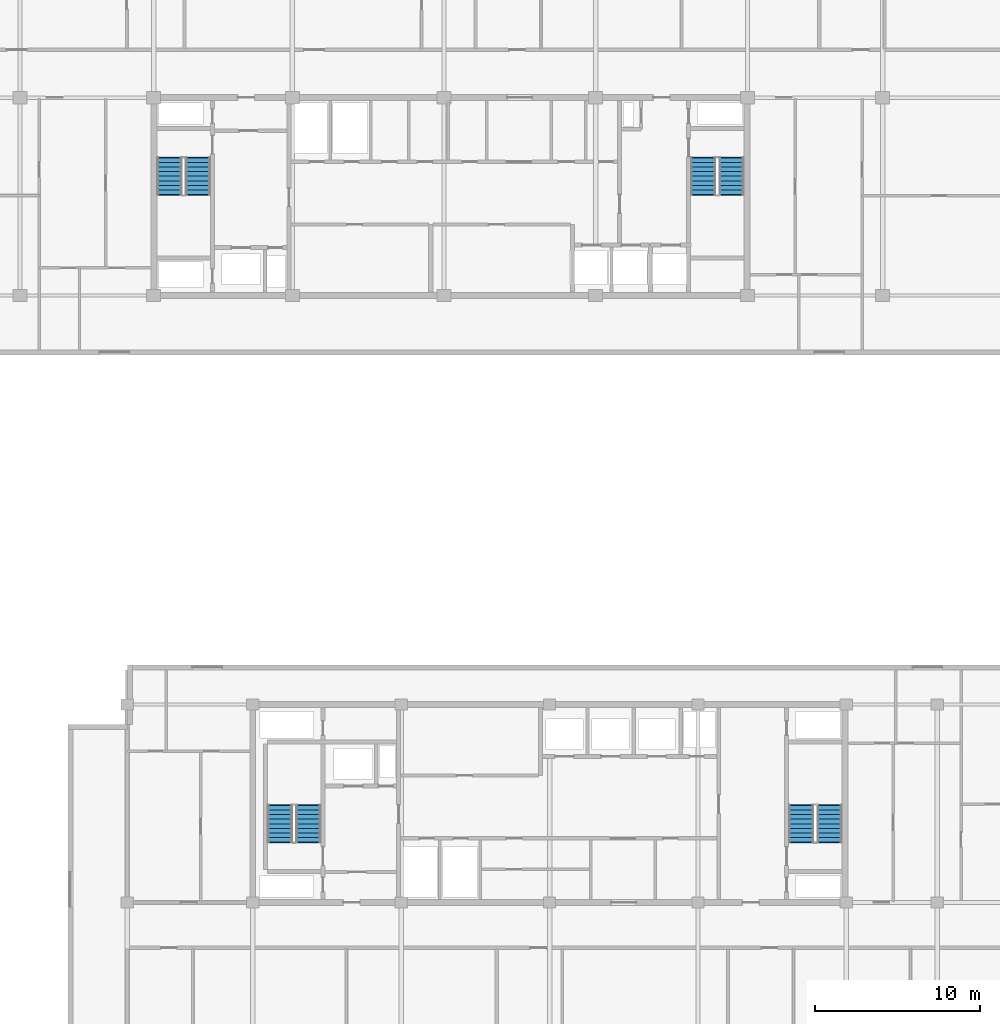
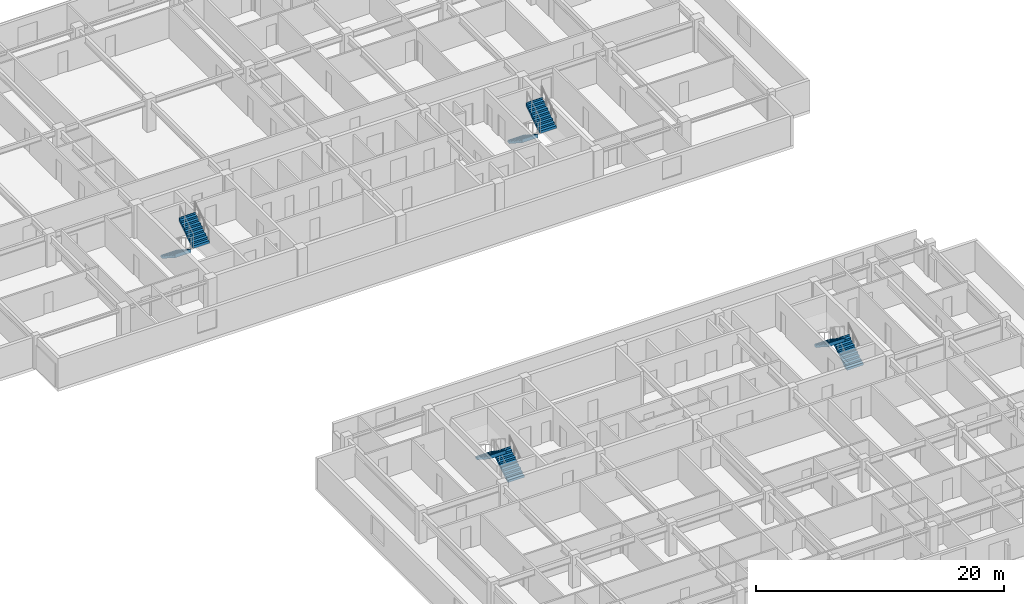
# One storey, part 17 of 22: 8 stair flights, 4 elements without a shape of their own.
"""IFC4 building model written with IfcOpenShell, lengths in metres."""

from ifc_helpers import new_model, si_unit, direction, frame, origin, place, context, subcontext, project, spatial, polyline, outline, extrude, material, type_object, element, aggregate, save


model = new_model("IFC4")

# Units and contexts
model_context = context("Model", 3, precision=1e-05, world=origin(), true_north=direction((0.0, 1.0)))
body_context = subcontext(model_context, "Body", "Model", "MODEL_VIEW")
ifc_project = project(units=[si_unit("LENGTHUNIT", "METRE"), si_unit("AREAUNIT", "SQUARE_METRE"), si_unit("VOLUMEUNIT", "CUBIC_METRE"), si_unit("PLANEANGLEUNIT", "RADIAN"), si_unit("MASSUNIT", "GRAM", prefix="KILO")], contexts=[model_context])

# Site, building, storey
site_placement = place(None, origin())
site = spatial("IfcSite", under=ifc_project, at=site_placement, CompositionType="ELEMENT")
building_placement = place(site_placement, origin())
building = spatial("IfcBuilding", under=site, at=building_placement, Name="Korimba Cascade Residences", CompositionType="ELEMENT")
storey_placement = place(building_placement, frame((0.0, 0.0, 191.35009765625)))
storey = spatial("IfcBuildingStorey", under=building, at=storey_placement, Name="L55", CompositionType="ELEMENT", Elevation=191.35009765625)

# Stair, stair flights
ifc_material = material(Name="Concrete C50/60", Category="concrete")
stair_type_1 = type_object("IfcStairType", Name="STR-W1-18R-1806", PredefinedType="HALF_TURN_STAIR", material=ifc_material)
stair_1_placement = place(storey_placement, origin())
stair_1 = element("IfcStair", 1, at=stair_1_placement, inside=storey, type_object=stair_type_1, Name="L55 Tower 1 West Fire Stair ST-W1", PredefinedType="HALF_TURN_STAIR")
stair_flight_type = type_object("IfcStairFlightType", Name="STF-DL-18R-1806-1520", PredefinedType="STRAIGHT", material=ifc_material)
stair_flight_1_placement = place(storey_placement, frame((77.06005859375, 63.550048828125, 0.0), z_axis=(0.0, 0.0, 1.0), x_axis=(0.0, -1.0, 0.0)))
stair_flight_1 = element("IfcStairFlight", 2, at=stair_flight_1_placement, type_object=stair_flight_type, Name="ST-W1 flight 1", NumberOfRisers=9, NumberOfTreads=8, PredefinedType="STRAIGHT", RiserHeight=0.180555556, TreadLength=0.28, context=body_context, shape_type="SweptSolid", body=[
    extrude(outline(polyline([(-0.0380859375, 0.0), (0.0, 0.1806640625), (0.280029296875, 0.1806640625), (0.280029296875, 0.361083984375), (0.56005859375, 0.361083984375), (0.56005859375, 0.541748046875), (0.840087890625, 0.541748046875), (0.840087890625, 0.72216796875), (1.1201171875, 0.72216796875), (1.1201171875, 0.90283203125), (1.39990234375, 0.90283203125), (1.39990234375, 1.083251953125), (1.679931640625, 1.083251953125), (1.679931640625, 1.263916015625), (1.9599609375, 1.263916015625), (1.9599609375, 1.4443359375), (2.239990234375, 1.4443359375), (2.239990234375, 1.625), (2.278076171875, 1.625), (2.278076171875, 1.26611328125), (0.276611328125, 0.0), (0.276611328125, -0.0380859375), (-0.0380859375, -0.0380859375), (-0.0380859375, 0.0)])), frame((0.0, 0.760009765625, 0.0), z_axis=(0.0, -1.0, 0.0), x_axis=(1.0, 0.0, 0.0)), (0.0, 0.0, 1.0), 1.52001953125),
])
stair_flight_2_placement = place(storey_placement, frame((78.780029296875, 61.31005859375, 1.625), z_axis=(0.0, 0.0, 1.0), x_axis=(0.0, 1.0, 0.0)))
stair_flight_2 = element("IfcStairFlight", 3, at=stair_flight_2_placement, type_object=stair_flight_type, Name="ST-W1 flight 2", NumberOfRisers=9, NumberOfTreads=8, PredefinedType="STRAIGHT", RiserHeight=0.180555556, TreadLength=0.28, context=body_context, shape_type="SweptSolid", body=[
    extrude(outline(polyline([(-0.0380859375, 0.0), (0.0, 0.1806640625), (0.280029296875, 0.1806640625), (0.280029296875, 0.361083984375), (0.56005859375, 0.361083984375), (0.56005859375, 0.541748046875), (0.840087890625, 0.541748046875), (0.840087890625, 0.72216796875), (1.1201171875, 0.72216796875), (1.1201171875, 0.90283203125), (1.39990234375, 0.90283203125), (1.39990234375, 1.083251953125), (1.679931640625, 1.083251953125), (1.679931640625, 1.263916015625), (1.9599609375, 1.263916015625), (1.9599609375, 1.4443359375), (2.239990234375, 1.4443359375), (2.239990234375, 1.625), (2.278076171875, 1.625), (2.278076171875, 1.26611328125), (0.276611328125, 0.0), (0.276611328125, -0.0380859375), (-0.0380859375, -0.0380859375), (-0.0380859375, 0.0)])), frame((0.0, 0.760009765625, 0.0), z_axis=(0.0, -1.0, 0.0), x_axis=(1.0, 0.0, 0.0)), (0.0, 0.0, 1.0), 1.52001953125),
])
aggregate(stair_1, [stair_flight_1, stair_flight_2])

stair_type_2 = type_object("IfcStairType", Name="STR-W2-18R-1806", PredefinedType="HALF_TURN_STAIR", material=ifc_material)
stair_2_placement = place(storey_placement, origin())
stair_2 = element("IfcStair", 4, at=stair_2_placement, inside=storey, type_object=stair_type_2, Name="L55 Tower 1 East Fire Stair ST-W2", PredefinedType="HALF_TURN_STAIR")
stair_flight_3_placement = place(storey_placement, frame((109.419921875, 63.550048828125, 0.0), z_axis=(0.0, 0.0, 1.0), x_axis=(0.0, -1.0, 0.0)))
stair_flight_3 = element("IfcStairFlight", 5, at=stair_flight_3_placement, type_object=stair_flight_type, Name="ST-W2 flight 1", NumberOfRisers=9, NumberOfTreads=8, PredefinedType="STRAIGHT", RiserHeight=0.180555556, TreadLength=0.28, context=body_context, shape_type="SweptSolid", body=[
    extrude(outline(polyline([(-0.0380859375, 0.0), (0.0, 0.1806640625), (0.280029296875, 0.1806640625), (0.280029296875, 0.361083984375), (0.56005859375, 0.361083984375), (0.56005859375, 0.541748046875), (0.840087890625, 0.541748046875), (0.840087890625, 0.72216796875), (1.1201171875, 0.72216796875), (1.1201171875, 0.90283203125), (1.39990234375, 0.90283203125), (1.39990234375, 1.083251953125), (1.679931640625, 1.083251953125), (1.679931640625, 1.263916015625), (1.9599609375, 1.263916015625), (1.9599609375, 1.4443359375), (2.239990234375, 1.4443359375), (2.239990234375, 1.625), (2.278076171875, 1.625), (2.278076171875, 1.26611328125), (0.276611328125, 0.0), (0.276611328125, -0.0380859375), (-0.0380859375, -0.0380859375), (-0.0380859375, 0.0)])), frame((0.0, 0.760009765625, 0.0), z_axis=(0.0, -1.0, 0.0), x_axis=(1.0, 0.0, 0.0)), (0.0, 0.0, 1.0), 1.52001953125),
])
stair_flight_4_placement = place(storey_placement, frame((111.139892578125, 61.31005859375, 1.625), z_axis=(0.0, 0.0, 1.0), x_axis=(0.0, 1.0, 0.0)))
stair_flight_4 = element("IfcStairFlight", 6, at=stair_flight_4_placement, type_object=stair_flight_type, Name="ST-W2 flight 2", NumberOfRisers=9, NumberOfTreads=8, PredefinedType="STRAIGHT", RiserHeight=0.180555556, TreadLength=0.28, context=body_context, shape_type="SweptSolid", body=[
    extrude(outline(polyline([(-0.0380859375, 0.0), (0.0, 0.1806640625), (0.280029296875, 0.1806640625), (0.280029296875, 0.361083984375), (0.56005859375, 0.361083984375), (0.56005859375, 0.541748046875), (0.840087890625, 0.541748046875), (0.840087890625, 0.72216796875), (1.1201171875, 0.72216796875), (1.1201171875, 0.90283203125), (1.39990234375, 0.90283203125), (1.39990234375, 1.083251953125), (1.679931640625, 1.083251953125), (1.679931640625, 1.263916015625), (1.9599609375, 1.263916015625), (1.9599609375, 1.4443359375), (2.239990234375, 1.4443359375), (2.239990234375, 1.625), (2.278076171875, 1.625), (2.278076171875, 1.26611328125), (0.276611328125, 0.0), (0.276611328125, -0.0380859375), (-0.0380859375, -0.0380859375), (-0.0380859375, 0.0)])), frame((0.0, 0.760009765625, 0.0), z_axis=(0.0, -1.0, 0.0), x_axis=(1.0, 0.0, 0.0)), (0.0, 0.0, 1.0), 1.52001953125),
])
aggregate(stair_2, [stair_flight_3, stair_flight_4])

stair_type_3 = type_object("IfcStairType", Name="STR-E1-18R-1806", PredefinedType="HALF_TURN_STAIR", material=ifc_material)
stair_3_placement = place(storey_placement, origin())
stair_3 = element("IfcStair", 7, at=stair_3_placement, inside=storey, type_object=stair_type_3, Name="L55 Tower 2 West Fire Stair ST-E1", PredefinedType="HALF_TURN_STAIR")
stair_flight_5_placement = place(storey_placement, frame((85.47998046875, 22.050048828125, 0.0), z_axis=(0.0, 0.0, 1.0), x_axis=(0.0, 1.0, 0.0)))
stair_flight_5 = element("IfcStairFlight", 8, at=stair_flight_5_placement, type_object=stair_flight_type, Name="ST-E1 flight 1", NumberOfRisers=9, NumberOfTreads=8, PredefinedType="STRAIGHT", RiserHeight=0.180555556, TreadLength=0.28, context=body_context, shape_type="SweptSolid", body=[
    extrude(outline(polyline([(-0.0380859375, 0.0), (0.0, 0.1806640625), (0.280029296875, 0.1806640625), (0.280029296875, 0.361083984375), (0.56005859375, 0.361083984375), (0.56005859375, 0.541748046875), (0.840087890625, 0.541748046875), (0.840087890625, 0.72216796875), (1.1201171875, 0.72216796875), (1.1201171875, 0.90283203125), (1.39990234375, 0.90283203125), (1.39990234375, 1.083251953125), (1.679931640625, 1.083251953125), (1.679931640625, 1.263916015625), (1.9599609375, 1.263916015625), (1.9599609375, 1.4443359375), (2.239990234375, 1.4443359375), (2.239990234375, 1.625), (2.278076171875, 1.625), (2.278076171875, 1.26611328125), (0.276611328125, 0.0), (0.276611328125, -0.0380859375), (-0.0380859375, -0.0380859375), (-0.0380859375, 0.0)])), frame((0.0, 0.760009765625, 0.0), z_axis=(0.0, -1.0, 0.0), x_axis=(1.0, 0.0, 0.0)), (0.0, 0.0, 1.0), 1.52001953125),
])
stair_flight_6_placement = place(storey_placement, frame((83.760009765625, 24.2900390625, 1.625), z_axis=(0.0, 0.0, 1.0), x_axis=(0.0, -1.0, 0.0)))
stair_flight_6 = element("IfcStairFlight", 9, at=stair_flight_6_placement, type_object=stair_flight_type, Name="ST-E1 flight 2", NumberOfRisers=9, NumberOfTreads=8, PredefinedType="STRAIGHT", RiserHeight=0.180555556, TreadLength=0.28, context=body_context, shape_type="SweptSolid", body=[
    extrude(outline(polyline([(-0.0380859375, 0.0), (0.0, 0.1806640625), (0.280029296875, 0.1806640625), (0.280029296875, 0.361083984375), (0.56005859375, 0.361083984375), (0.56005859375, 0.541748046875), (0.840087890625, 0.541748046875), (0.840087890625, 0.72216796875), (1.1201171875, 0.72216796875), (1.1201171875, 0.90283203125), (1.39990234375, 0.90283203125), (1.39990234375, 1.083251953125), (1.679931640625, 1.083251953125), (1.679931640625, 1.263916015625), (1.9599609375, 1.263916015625), (1.9599609375, 1.4443359375), (2.239990234375, 1.4443359375), (2.239990234375, 1.625), (2.278076171875, 1.625), (2.278076171875, 1.26611328125), (0.276611328125, 0.0), (0.276611328125, -0.0380859375), (-0.0380859375, -0.0380859375), (-0.0380859375, 0.0)])), frame((0.0, 0.760009765625, 0.0), z_axis=(0.0, -1.0, 0.0), x_axis=(1.0, 0.0, 0.0)), (0.0, 0.0, 1.0), 1.52001953125),
])
aggregate(stair_3, [stair_flight_5, stair_flight_6])

stair_type_4 = type_object("IfcStairType", Name="STR-E2-18R-1806", PredefinedType="HALF_TURN_STAIR", material=ifc_material)
stair_4_placement = place(storey_placement, origin())
stair_4 = element("IfcStair", 10, at=stair_4_placement, inside=storey, type_object=stair_type_4, Name="L55 Tower 2 East Fire Stair ST-E2", PredefinedType="HALF_TURN_STAIR")
stair_flight_7_placement = place(storey_placement, frame((117.080078125, 22.050048828125, 0.0), z_axis=(0.0, 0.0, 1.0), x_axis=(0.0, 1.0, 0.0)))
stair_flight_7 = element("IfcStairFlight", 11, at=stair_flight_7_placement, type_object=stair_flight_type, Name="ST-E2 flight 1", NumberOfRisers=9, NumberOfTreads=8, PredefinedType="STRAIGHT", RiserHeight=0.180555556, TreadLength=0.28, context=body_context, shape_type="SweptSolid", body=[
    extrude(outline(polyline([(-0.0380859375, 0.0), (0.0, 0.1806640625), (0.280029296875, 0.1806640625), (0.280029296875, 0.361083984375), (0.56005859375, 0.361083984375), (0.56005859375, 0.541748046875), (0.840087890625, 0.541748046875), (0.840087890625, 0.72216796875), (1.1201171875, 0.72216796875), (1.1201171875, 0.90283203125), (1.39990234375, 0.90283203125), (1.39990234375, 1.083251953125), (1.679931640625, 1.083251953125), (1.679931640625, 1.263916015625), (1.9599609375, 1.263916015625), (1.9599609375, 1.4443359375), (2.239990234375, 1.4443359375), (2.239990234375, 1.625), (2.278076171875, 1.625), (2.278076171875, 1.26611328125), (0.276611328125, 0.0), (0.276611328125, -0.0380859375), (-0.0380859375, -0.0380859375), (-0.0380859375, 0.0)])), frame((0.0, 0.760009765625, 0.0), z_axis=(0.0, -1.0, 0.0), x_axis=(1.0, 0.0, 0.0)), (0.0, 0.0, 1.0), 1.52001953125),
])
stair_flight_8_placement = place(storey_placement, frame((115.360107421875, 24.2900390625, 1.625), z_axis=(0.0, 0.0, 1.0), x_axis=(0.0, -1.0, 0.0)))
stair_flight_8 = element("IfcStairFlight", 12, at=stair_flight_8_placement, type_object=stair_flight_type, Name="ST-E2 flight 2", NumberOfRisers=9, NumberOfTreads=8, PredefinedType="STRAIGHT", RiserHeight=0.180555556, TreadLength=0.28, context=body_context, shape_type="SweptSolid", body=[
    extrude(outline(polyline([(-0.0380859375, 0.0), (0.0, 0.1806640625), (0.280029296875, 0.1806640625), (0.280029296875, 0.361083984375), (0.56005859375, 0.361083984375), (0.56005859375, 0.541748046875), (0.840087890625, 0.541748046875), (0.840087890625, 0.72216796875), (1.1201171875, 0.72216796875), (1.1201171875, 0.90283203125), (1.39990234375, 0.90283203125), (1.39990234375, 1.083251953125), (1.679931640625, 1.083251953125), (1.679931640625, 1.263916015625), (1.9599609375, 1.263916015625), (1.9599609375, 1.4443359375), (2.239990234375, 1.4443359375), (2.239990234375, 1.625), (2.278076171875, 1.625), (2.278076171875, 1.26611328125), (0.276611328125, 0.0), (0.276611328125, -0.0380859375), (-0.0380859375, -0.0380859375), (-0.0380859375, 0.0)])), frame((0.0, 0.760009765625, 0.0), z_axis=(0.0, -1.0, 0.0), x_axis=(1.0, 0.0, 0.0)), (0.0, 0.0, 1.0), 1.52001953125),
])
aggregate(stair_4, [stair_flight_7, stair_flight_8])

save(model, "model.ifc")
